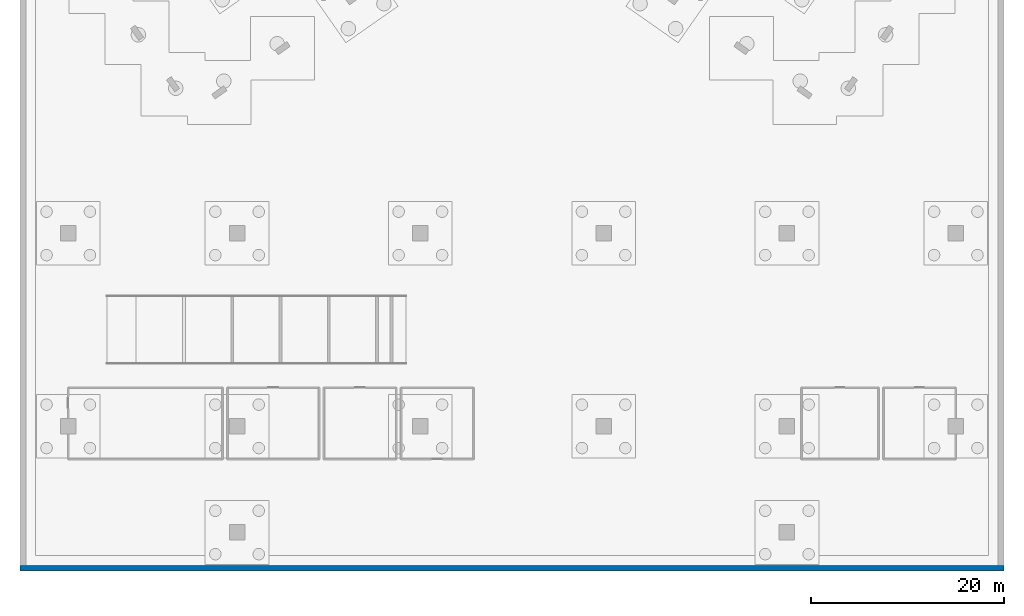
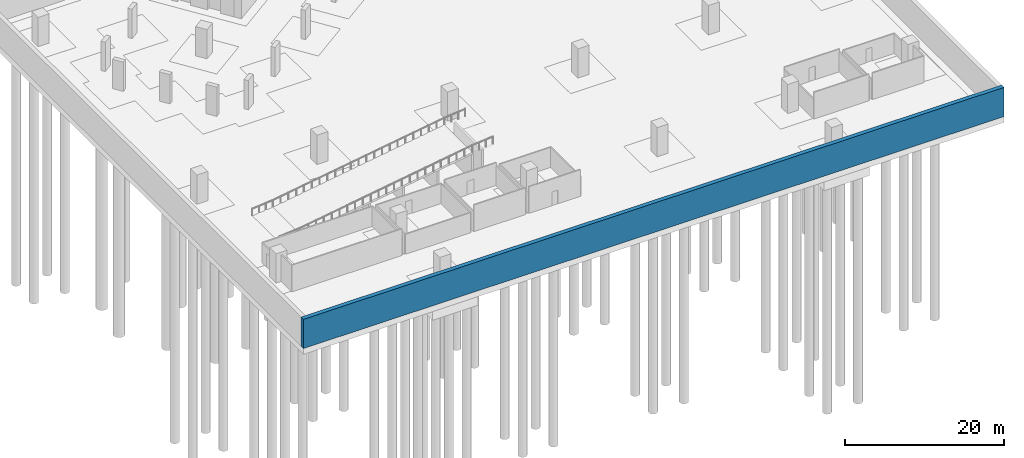
# One storey, part 4 of 13: 1 wall.
"""IFC4 building model written with IfcOpenShell, lengths in metres."""

from ifc_helpers import new_model, si_unit, direction, frame, origin, place, context, subcontext, project, spatial, polyline, outline, extrude, material, layer, layer_set, type_object, element, save


model = new_model("IFC4")

# Units and contexts
model_context = context("Model", 3, precision=1e-05, world=origin(), true_north=direction((0.0, 1.0)))
body_context = subcontext(model_context, "Body", "Model", "MODEL_VIEW")
ifc_project = project(units=[si_unit("LENGTHUNIT", "METRE"), si_unit("AREAUNIT", "SQUARE_METRE"), si_unit("VOLUMEUNIT", "CUBIC_METRE"), si_unit("PLANEANGLEUNIT", "RADIAN"), si_unit("MASSUNIT", "GRAM", prefix="KILO")], contexts=[model_context])

# Site, building, storey
site_placement = place(None, origin())
site = spatial("IfcSite", under=ifc_project, at=site_placement, CompositionType="ELEMENT")
building_placement = place(site_placement, origin())
building = spatial("IfcBuilding", under=site, at=building_placement, Name="Tel Ilan Convention Tower", CompositionType="ELEMENT")
storey_placement = place(building_placement, frame((0.0, 0.0, -9.0)))
storey = spatial("IfcBuildingStorey", under=building, at=storey_placement, Name="B2", CompositionType="ELEMENT", Elevation=-9.0)

# Wall
ifc_material = material(Name="Concrete C40/50", Category="concrete")
ifc_layer = layer(ifc_material, 0.60009765625)
ifc_layer_set = layer_set([ifc_layer], Name="Basement Retaining Wall 600 mm C40/50")
wall_type = type_object("IfcWallType", Name="Basement Retaining Wall 600 mm C40/50", PredefinedType="SOLIDWALL", material=ifc_layer_set)
wall_placement = place(storey_placement, frame((-51.0, -82.699951171875, 0.0), z_axis=(0.0, 0.0, 1.0), x_axis=(1.0, 0.0, 0.0)))
element("IfcWall", 1, at=wall_placement, inside=storey, type_object=wall_type, Name="B2 retaining wall 1", PredefinedType="SOLIDWALL", context=body_context, shape_type="SweptSolid", body=[
    extrude(outline(polyline([(0.0, -0.300048828125), (0.0, 0.300048828125), (0.60009765625, 0.300048828125), (101.39990234375, 0.300048828125), (102.0, 0.300048828125), (102.0, -0.300048828125), (0.0, -0.300048828125)])), origin(), (0.0, 0.0, 1.0), 4.5),
])

save(model, "model.ifc")
